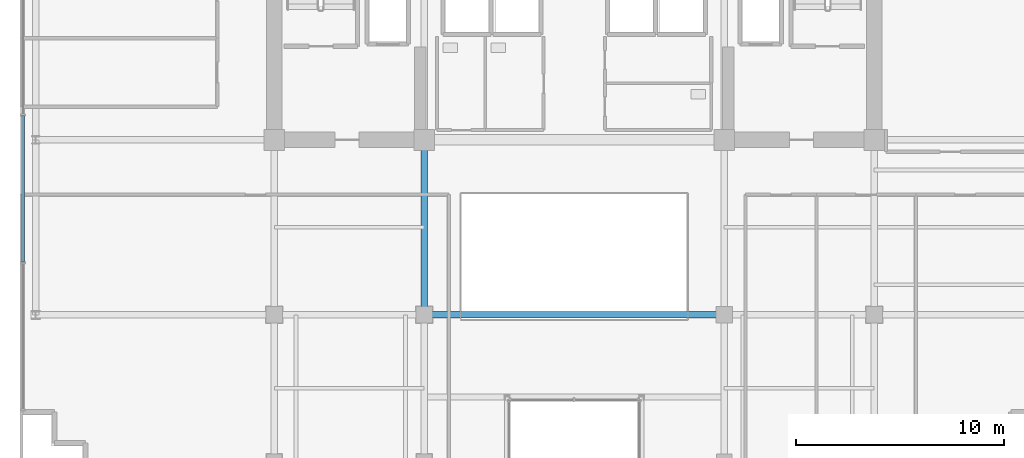
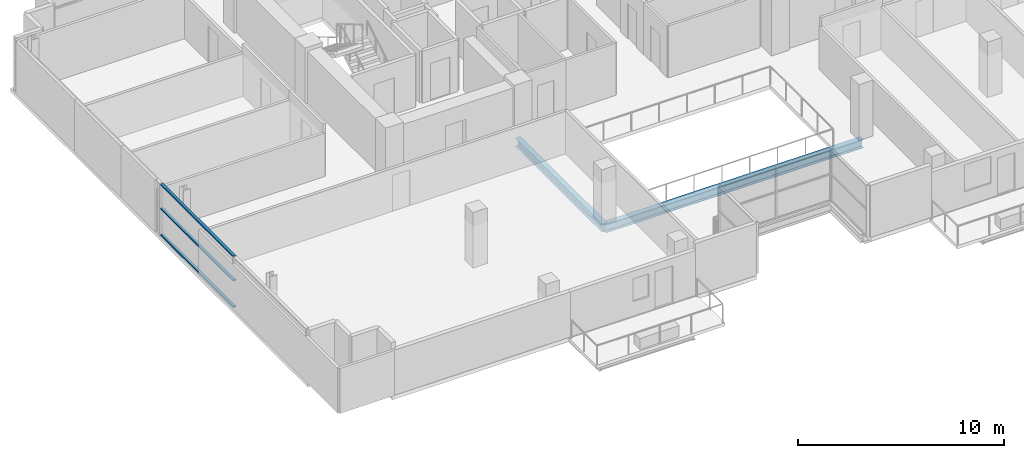
# One storey, part 8 of 25: 3 members, 2 beams, 1 element without a shape of its own.
"""IFC4 building model written with IfcOpenShell, lengths in metres."""

from ifc_helpers import new_model, si_unit, direction, frame, origin, origin_2d, place, context, subcontext, project, spatial, hollow_rectangle, i_section, extrude, source, transform, mapped, material, layer, layer_set, material_profile, profile_set, type_object, element, aggregate, save


model = new_model("IFC4")

# Units and contexts
model_context = context("Model", 3, precision=1e-05, world=origin(), true_north=direction((0.0, 1.0)))
body_context = subcontext(model_context, "Body", "Model", "MODEL_VIEW")
ifc_project = project(units=[si_unit("LENGTHUNIT", "METRE"), si_unit("AREAUNIT", "SQUARE_METRE"), si_unit("VOLUMEUNIT", "CUBIC_METRE"), si_unit("PLANEANGLEUNIT", "RADIAN"), si_unit("MASSUNIT", "GRAM", prefix="KILO")], contexts=[model_context])

# Site, building, storey
site_placement = place(None, origin())
site = spatial("IfcSite", under=ifc_project, at=site_placement, CompositionType="ELEMENT")
building_placement = place(site_placement, origin())
building = spatial("IfcBuilding", under=site, at=building_placement, Name="Zarnakvel Exchange Tower", CompositionType="ELEMENT")
storey_placement = place(building_placement, frame((0.0, 0.0, 156.10009765625)))
storey = spatial("IfcBuildingStorey", under=building, at=storey_placement, Name="L43", CompositionType="ELEMENT", Elevation=156.10009765625)

# Beams
ifc_material_1 = material(Name="Steel S355", Category="steel")
ifc_material_profile_1 = material_profile(ifc_material_1, i_section(OverallWidth=0.300048828125, OverallDepth=0.5, WebThickness=0.014404296875, FlangeThickness=0.028076171875, FilletRadius=0.027099609375, at=origin_2d()))
ifc_profile_set_1 = profile_set([ifc_material_profile_1], Name="Steel S355")
beam_type = type_object("IfcBeamType", Name="G-06", PredefinedType="BEAM", material=ifc_profile_set_1)
beam_1_placement = place(storey_placement, frame((-7.199951171875, -9.60009765625, -0.47509765625), z_axis=(1.0, 0.0, 0.0), x_axis=(0.0, 1.0, 0.0)))
element("IfcBeam", 1, at=beam_1_placement, inside=storey, type_object=beam_type, Name="L43 Tower E-W Frame Beam", PredefinedType="BEAM", context=body_context, shape_type="SweptSolid", body=[
    extrude(i_section(OverallWidth=0.300048828125, OverallDepth=0.5, WebThickness=0.014404296875, FlangeThickness=0.028076171875, FilletRadius=0.027099609375, at=origin_2d()), origin(), (0.0, 0.0, 1.0), 14.39990234375),
])
beam_2_placement = place(storey_placement, frame((-7.199951171875, -9.60009765625, -0.47509765625), z_axis=(0.0, 1.0, 0.0), x_axis=(-1.0, 0.0, 0.0)))
element("IfcBeam", 2, at=beam_2_placement, inside=storey, type_object=beam_type, Name="L43 Tower N-S Frame Beam", PredefinedType="BEAM", context=body_context, shape_type="SweptSolid", body=[
    extrude(i_section(OverallWidth=0.300048828125, OverallDepth=0.5, WebThickness=0.014404296875, FlangeThickness=0.028076171875, FilletRadius=0.027099609375, at=origin_2d()), origin(), (0.0, 0.0, 1.0), 8.400146484375),
])

# Curtain wall, members
ifc_material_2 = material(Name="Architectural Bronze Anodised Aluminium", Category="aluminium")
ifc_layer = layer(ifc_material_2, 0.199951171875)
ifc_layer_set = layer_set([ifc_layer], Name="Architectural Bronze Anodised Aluminium")
curtain_wall_type = type_object("IfcCurtainWallType", Name="CW-04", PredefinedType="NOTDEFINED", material=ifc_layer_set)
curtain_wall_placement = place(storey_placement, origin())
curtain_wall = element("IfcCurtainWall", 3, at=curtain_wall_placement, inside=storey, type_object=curtain_wall_type, Name="L43 Curtain Wall CW-L43-W1 (CW-04)", PredefinedType="NOTDEFINED")
ifc_material_profile_2 = material_profile(ifc_material_2, hollow_rectangle(XDim=0.159912109375, YDim=0.074951171875, WallThickness=0.00390625, at=origin_2d()))
ifc_profile_set_2 = profile_set([ifc_material_profile_2], Name="Architectural Bronze Anodised Aluminium")
member_type = type_object("IfcMemberType", Name="CWT-04", PredefinedType="USERDEFINED", material=ifc_profile_set_2)
shared_shape = source(origin(), body_context, "Body", "SweptSolid", [
    extrude(hollow_rectangle(XDim=0.159912109375, YDim=0.074951171875, WallThickness=0.00390625, at=origin_2d()), origin(), (0.0, 0.0, 1.0), 7.02490234375),
])
member_1_placement = place(storey_placement, frame((-26.4599609375, -7.0625, 0.037353515625), z_axis=(0.0, 1.0, 0.0), x_axis=(-1.0, 0.0, 0.0)))
member_1 = element("IfcMember", 4, at=member_1_placement, type_object=member_type, Name="CW-04 transom 2.1", ObjectType="TRANSOM", PredefinedType="USERDEFINED", context=body_context, shape_type="MappedRepresentation", body=[
    mapped(shared_shape, transform((0.0, 0.0, 0.0), x_axis=(1.0, 0.0, 0.0), y_axis=(0.0, 1.0, 0.0), z_axis=(0.0, 0.0, 1.0), scale=1.0)),
])
member_2_placement = place(storey_placement, frame((-26.4599609375, -7.0625, 1.588623046875), z_axis=(0.0, 1.0, 0.0), x_axis=(-1.0, 0.0, 0.0)))
member_2 = element("IfcMember", 5, at=member_2_placement, type_object=member_type, Name="CW-04 transom 2.2", ObjectType="TRANSOM", PredefinedType="USERDEFINED", context=body_context, shape_type="MappedRepresentation", body=[
    mapped(shared_shape, transform((0.0, 0.0, 0.0), x_axis=(1.0, 0.0, 0.0), y_axis=(0.0, 1.0, 0.0), z_axis=(0.0, 0.0, 1.0), scale=1.0)),
])
member_3_placement = place(storey_placement, frame((-26.4599609375, -7.0625, 3.017333984375), z_axis=(0.0, 1.0, 0.0), x_axis=(-1.0, 0.0, 0.0)))
member_3 = element("IfcMember", 6, at=member_3_placement, type_object=member_type, Name="CW-04 transom 2.3", ObjectType="TRANSOM", PredefinedType="USERDEFINED", context=body_context, shape_type="MappedRepresentation", body=[
    mapped(shared_shape, transform((0.0, 0.0, 0.0), x_axis=(1.0, 0.0, 0.0), y_axis=(0.0, 1.0, 0.0), z_axis=(0.0, 0.0, 1.0), scale=1.0)),
])
aggregate(curtain_wall, [member_1, member_2, member_3])

save(model, "model.ifc")
